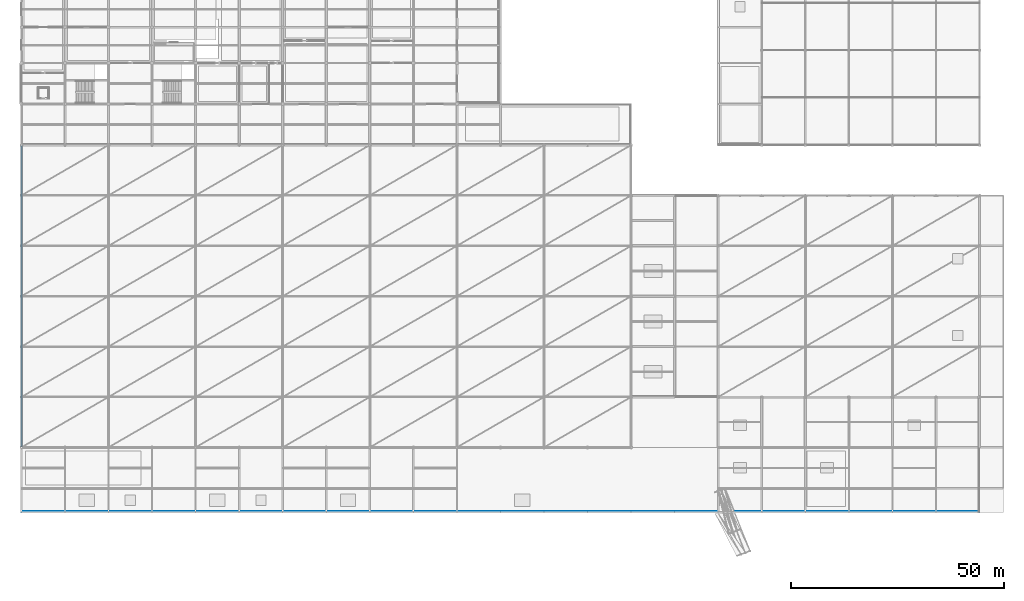
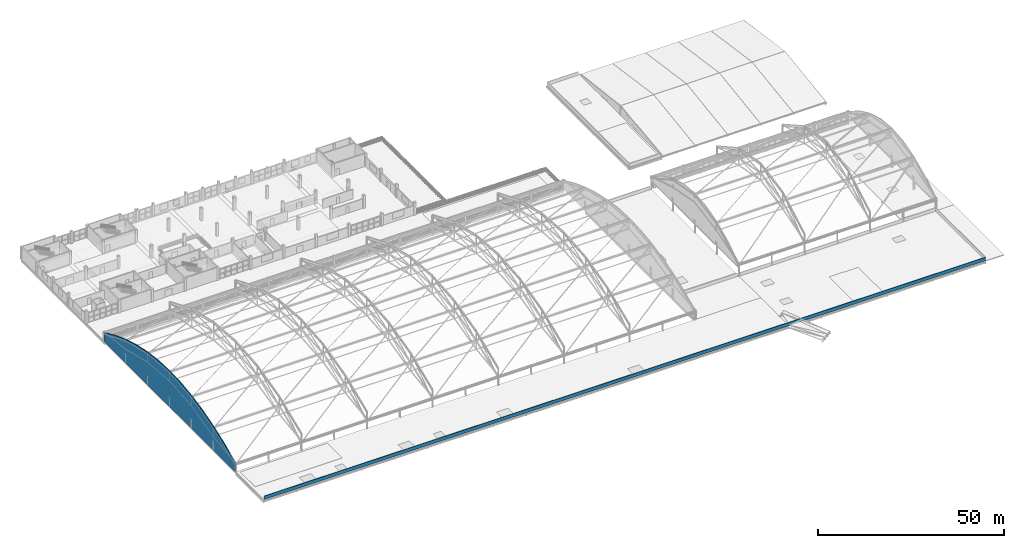
# One storey, part 121 of 135: 2 walls.
"""IFC4 building model written with IfcOpenShell, lengths in metres."""

from ifc_helpers import new_model, si_unit, direction, frame, frame_2d, origin, place, context, subcontext, project, spatial, polyline, rectangle, outline, extrude, material, layer, layer_set, type_object, element, save


model = new_model("IFC4")

# Units and contexts
model_context = context("Model", 3, precision=1e-05, world=origin(), true_north=direction((0.0, 1.0)))
body_context = subcontext(model_context, "Body", "Model", "MODEL_VIEW")
ifc_project = project(units=[si_unit("LENGTHUNIT", "METRE"), si_unit("AREAUNIT", "SQUARE_METRE"), si_unit("VOLUMEUNIT", "CUBIC_METRE"), si_unit("PLANEANGLEUNIT", "RADIAN"), si_unit("MASSUNIT", "GRAM", prefix="KILO")], contexts=[model_context])

# Site, building, storey
site_placement = place(None, origin())
site = spatial("IfcSite", under=ifc_project, at=site_placement, CompositionType="ELEMENT")
building_placement = place(site_placement, origin())
building = spatial("IfcBuilding", under=site, at=building_placement, Name="Brelvane Convention Centre", CompositionType="ELEMENT")
storey_placement = place(building_placement, frame((0.0, 0.0, 15.0)))
storey = spatial("IfcBuildingStorey", under=building, at=storey_placement, Name="L03", CompositionType="ELEMENT", Elevation=15.0)

# Walls
ifc_material_1 = material(Name="Concrete M40", Category="concrete")
ifc_layer_1 = layer(ifc_material_1, 0.1650390625)
ifc_layer_set_1 = layer_set([ifc_layer_1], Name="Concrete M40")
wall_type_1 = type_object("IfcWallType", Name="Exterior Wall PW-03", PredefinedType="PARAPET", material=ifc_layer_set_1)
wall_1_placement = place(storey_placement, frame((0.10009765625, 13.699951171875, 0.0), z_axis=(0.0, 0.0, 1.0), x_axis=(1.0, 0.0, 0.0)))
element("IfcWall", 1, at=wall_1_placement, inside=storey, type_object=wall_type_1, Name="Roof Parapet L03-P14", PredefinedType="PARAPET", context=body_context, shape_type="SweptSolid", body=[
    extrude(rectangle(XDim=224.199951171875, YDim=0.1650390625, at=frame_2d((112.10009765625, 0.0))), origin(), (0.0, 0.0, 1.0), 1.10009765625),
])
ifc_material_2 = material(Name="Concrete M50", Category="concrete")
ifc_layer_2 = layer(ifc_material_2, 0.300048828125)
ifc_layer_set_2 = layer_set([ifc_layer_2], Name="Concrete M50")
wall_type_2 = type_object("IfcWallType", Name="Structural Wall WL-CORE-300", PredefinedType="SHEAR", material=ifc_layer_set_2)
wall_2_placement = place(storey_placement, frame((0.0, 28.949951171875, 0.0), z_axis=(0.0, 0.0, 1.0), x_axis=(0.0, 1.0, 0.0)))
element("IfcWall", 2, at=wall_2_placement, inside=storey, type_object=wall_type_2, Name="Exhibition Hall Gable Tympanum Wall W", PredefinedType="SHEAR", context=body_context, shape_type="SweptSolid", body=[
    extrude(outline(polyline([(0.0, 0.0), (70.5, 0.0), (70.5, 2.89404296875), (64.625, 5.56103515625), (58.75, 7.741943359375), (52.875, 9.43896484375), (47.0, 10.64990234375), (41.125, 11.3779296875), (35.25, 11.6201171875), (29.375, 11.3779296875), (23.5, 10.64990234375), (17.625, 9.43896484375), (11.75, 7.741943359375), (5.875, 5.56103515625), (0.0, 2.89404296875), (0.0, 0.0)])), frame((0.0, 0.14990234375, 0.0), z_axis=(0.0, -1.0, 0.0), x_axis=(1.0, 0.0, 0.0)), (0.0, 0.0, 1.0), 0.300048828125),
])

save(model, "model.ifc")
